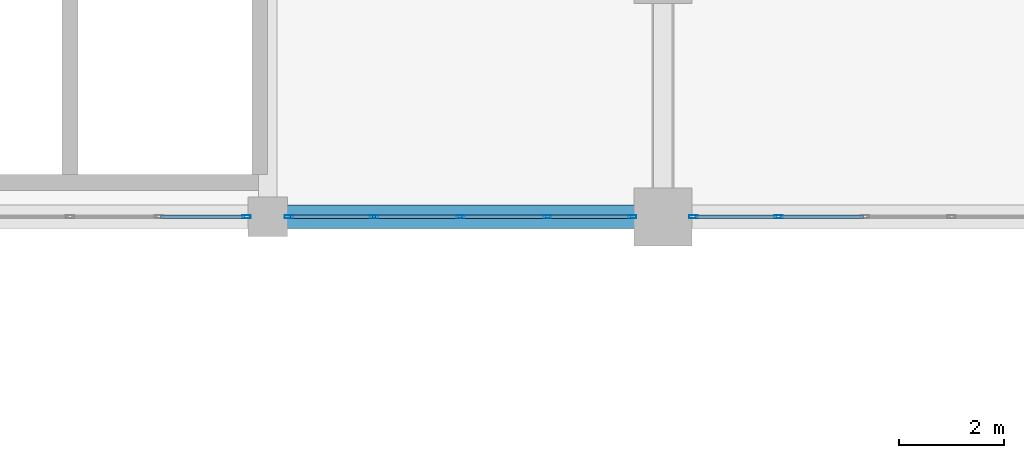
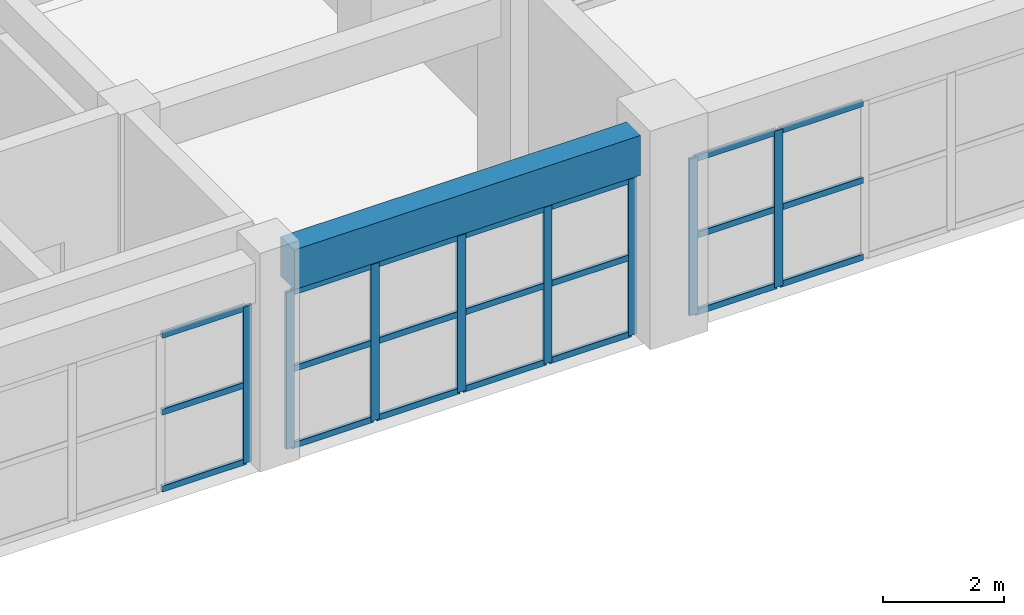
# One storey, part 19 of 90: 29 members, 1 beam, 3 elements without a shape of their own.
"""IFC4 building model written with IfcOpenShell, lengths in metres."""

from ifc_helpers import new_model, si_unit, direction, frame, origin, origin_2d, place, context, subcontext, project, spatial, rectangle, hollow_rectangle, extrude, material, layer, layer_set, material_profile, profile_set, type_object, element, aggregate, save


model = new_model("IFC4")

# Units and contexts
model_context = context("Model", 3, precision=1e-05, world=origin(), true_north=direction((0.0, 1.0)))
body_context = subcontext(model_context, "Body", "Model", "MODEL_VIEW")
ifc_project = project(units=[si_unit("LENGTHUNIT", "METRE"), si_unit("AREAUNIT", "SQUARE_METRE"), si_unit("VOLUMEUNIT", "CUBIC_METRE"), si_unit("PLANEANGLEUNIT", "RADIAN"), si_unit("MASSUNIT", "GRAM", prefix="KILO")], contexts=[model_context])

# Site, building, storey
site_placement = place(None, origin())
site = spatial("IfcSite", under=ifc_project, at=site_placement, CompositionType="ELEMENT")
building_placement = place(site_placement, origin())
building = spatial("IfcBuilding", under=site, at=building_placement, Name="Muzn Square Opera House", CompositionType="ELEMENT")
storey_placement = place(building_placement, frame((0.0, 0.0, 9.800048828125)))
storey = spatial("IfcBuildingStorey", under=building, at=storey_placement, Name="L02", CompositionType="ELEMENT", Elevation=9.800048828125)

# Curtain wall, member
ifc_material_1 = material(Name="Low-E laminated acoustic double glazing", Category="glass")
ifc_layer_1 = layer(ifc_material_1, 0.159912109375, Name="Low-E laminated acoustic double glazing", Category="glass")
ifc_layer_set_1 = layer_set([ifc_layer_1], Name="Low-E laminated acoustic double glazing")
curtain_wall_type_1 = type_object("IfcCurtainWallType", Name="Glazed Curtain Wall Forecourt 6750x3150", PredefinedType="USERDEFINED", material=ifc_layer_set_1)
curtain_wall_1_placement = place(storey_placement, origin())
curtain_wall_1 = element("IfcCurtainWall", 1, at=curtain_wall_1_placement, inside=storey, type_object=curtain_wall_type_1, Name="Glazed Curtain Wall CW-L02-011", ObjectType="GLAZED CURTAIN WALL", PredefinedType="USERDEFINED")
ifc_material_2 = material(Name="Anodised bronze aluminium 6063-T6", Category="metal")
ifc_material_profile_1 = material_profile(ifc_material_2, hollow_rectangle(XDim=0.06005859375, YDim=0.159912109375, WallThickness=0.00390625, at=origin_2d()), Name="ALU 160x60x4", Category="metal")
ifc_profile_set_1 = profile_set([ifc_material_profile_1], Name="Anodised bronze aluminium 6063-T6")
member_type_1 = type_object("IfcMemberType", Name="Curtain Wall Mullion 160x60", PredefinedType="MULLION", material=ifc_profile_set_1)
member_1_placement = place(storey_placement, frame((65.094970703125, 22.0, 0.0), z_axis=(0.0, 0.0, 1.0), x_axis=(0.0, 1.0, 0.0)))
member_1 = element("IfcMember", 2, at=member_1_placement, type_object=member_type_1, Name="CW-FC-67x31 mullion 5", PredefinedType="MULLION", context=body_context, shape_type="SweptSolid", body=[
    extrude(hollow_rectangle(XDim=0.06005859375, YDim=0.159912109375, WallThickness=0.00390625, at=origin_2d()), origin(), (0.0, 0.0, 1.0), 3.14990234375),
])

# Curtain wall, members
ifc_layer_2 = layer(ifc_material_1, 0.159912109375, Name="Low-E laminated acoustic double glazing", Category="glass")
ifc_layer_set_2 = layer_set([ifc_layer_2], Name="Low-E laminated acoustic double glazing")
curtain_wall_type_2 = type_object("IfcCurtainWallType", Name="Glazed Curtain Wall Forecourt 6575x3150", PredefinedType="USERDEFINED", material=ifc_layer_set_2)
curtain_wall_2_placement = place(storey_placement, origin())
curtain_wall_2 = element("IfcCurtainWall", 3, at=curtain_wall_2_placement, inside=storey, type_object=curtain_wall_type_2, Name="Glazed Curtain Wall CW-L02-012", ObjectType="GLAZED CURTAIN WALL", PredefinedType="USERDEFINED")
member_2_placement = place(storey_placement, frame((65.905029296875, 22.0, 0.0), z_axis=(0.0, 0.0, 1.0), x_axis=(0.0, 1.0, 0.0)))
member_2 = element("IfcMember", 4, at=member_2_placement, type_object=member_type_1, Name="CW-FC-65x31 mullion 1", PredefinedType="MULLION", context=body_context, shape_type="SweptSolid", body=[
    extrude(hollow_rectangle(XDim=0.06005859375, YDim=0.159912109375, WallThickness=0.00390625, at=origin_2d()), origin(), (0.0, 0.0, 1.0), 3.14990234375),
])
member_3_placement = place(storey_placement, frame((67.518798828125, 22.0, 0.0), z_axis=(0.0, 0.0, 1.0), x_axis=(0.0, 1.0, 0.0)))
member_3 = element("IfcMember", 5, at=member_3_placement, type_object=member_type_1, Name="CW-FC-65x31 mullion 2", PredefinedType="MULLION", context=body_context, shape_type="SweptSolid", body=[
    extrude(hollow_rectangle(XDim=0.06005859375, YDim=0.159912109375, WallThickness=0.00390625, at=origin_2d()), origin(), (0.0, 0.0, 1.0), 3.14990234375),
])
member_4_placement = place(storey_placement, frame((69.16259765625, 22.0, 0.0), z_axis=(0.0, 0.0, 1.0), x_axis=(0.0, 1.0, 0.0)))
member_4 = element("IfcMember", 6, at=member_4_placement, type_object=member_type_1, Name="CW-FC-65x31 mullion 3", PredefinedType="MULLION", context=body_context, shape_type="SweptSolid", body=[
    extrude(hollow_rectangle(XDim=0.06005859375, YDim=0.159912109375, WallThickness=0.00390625, at=origin_2d()), origin(), (0.0, 0.0, 1.0), 3.14990234375),
])
member_5_placement = place(storey_placement, frame((70.80615234375, 22.0, 0.0), z_axis=(0.0, 0.0, 1.0), x_axis=(0.0, 1.0, 0.0)))
member_5 = element("IfcMember", 7, at=member_5_placement, type_object=member_type_1, Name="CW-FC-65x31 mullion 4", PredefinedType="MULLION", context=body_context, shape_type="SweptSolid", body=[
    extrude(hollow_rectangle(XDim=0.06005859375, YDim=0.159912109375, WallThickness=0.00390625, at=origin_2d()), origin(), (0.0, 0.0, 1.0), 3.14990234375),
])
member_6_placement = place(storey_placement, frame((72.419921875, 22.0, 0.0), z_axis=(0.0, 0.0, 1.0), x_axis=(0.0, 1.0, 0.0)))
member_6 = element("IfcMember", 8, at=member_6_placement, type_object=member_type_1, Name="CW-FC-65x31 mullion 5", PredefinedType="MULLION", context=body_context, shape_type="SweptSolid", body=[
    extrude(hollow_rectangle(XDim=0.06005859375, YDim=0.159912109375, WallThickness=0.00390625, at=origin_2d()), origin(), (0.0, 0.0, 1.0), 3.14990234375),
])

curtain_wall_3_placement = place(storey_placement, origin())
curtain_wall_3 = element("IfcCurtainWall", 9, at=curtain_wall_3_placement, inside=storey, type_object=curtain_wall_type_2, Name="Glazed Curtain Wall CW-L02-013", ObjectType="GLAZED CURTAIN WALL", PredefinedType="USERDEFINED")
member_7_placement = place(storey_placement, frame((73.580078125, 22.0, 0.0), z_axis=(0.0, 0.0, 1.0), x_axis=(0.0, 1.0, 0.0)))
member_7 = element("IfcMember", 10, at=member_7_placement, type_object=member_type_1, Name="CW-FC-65x31 mullion 1", PredefinedType="MULLION", context=body_context, shape_type="SweptSolid", body=[
    extrude(hollow_rectangle(XDim=0.06005859375, YDim=0.159912109375, WallThickness=0.00390625, at=origin_2d()), origin(), (0.0, 0.0, 1.0), 3.14990234375),
])
member_8_placement = place(storey_placement, frame((75.19384765625, 22.0, 0.0), z_axis=(0.0, 0.0, 1.0), x_axis=(0.0, 1.0, 0.0)))
member_8 = element("IfcMember", 11, at=member_8_placement, type_object=member_type_1, Name="CW-FC-65x31 mullion 2", PredefinedType="MULLION", context=body_context, shape_type="SweptSolid", body=[
    extrude(hollow_rectangle(XDim=0.06005859375, YDim=0.159912109375, WallThickness=0.00390625, at=origin_2d()), origin(), (0.0, 0.0, 1.0), 3.14990234375),
])

# Member
ifc_material_profile_2 = material_profile(ifc_material_2, hollow_rectangle(XDim=0.06005859375, YDim=0.1201171875, WallThickness=0.00390625, at=origin_2d()), Name="ALU 120x60x4", Category="metal")
ifc_profile_set_2 = profile_set([ifc_material_profile_2], Name="Anodised bronze aluminium 6063-T6")
member_type_2 = type_object("IfcMemberType", Name="Curtain Wall Transom 120x60", PredefinedType="USERDEFINED", material=ifc_profile_set_2)
member_9_placement = place(storey_placement, frame((63.467529296875, 22.0, 0.030029296875), z_axis=(1.0, 0.0, 0.0), x_axis=(0.0, 1.0, 0.0)))
member_9 = element("IfcMember", 12, at=member_9_placement, type_object=member_type_2, Name="CW-FC-67x31 transom 4.1", ObjectType="TRANSOM", PredefinedType="USERDEFINED", context=body_context, shape_type="SweptSolid", body=[
    extrude(hollow_rectangle(XDim=0.06005859375, YDim=0.1201171875, WallThickness=0.00390625, at=origin_2d()), origin(), (0.0, 0.0, 1.0), 1.597412109375),
])

member_10_placement = place(storey_placement, frame((63.467529296875, 22.0, 1.574951171875), z_axis=(1.0, 0.0, 0.0), x_axis=(0.0, 1.0, 0.0)))
member_10 = element("IfcMember", 13, at=member_10_placement, type_object=member_type_2, Name="CW-FC-67x31 transom 4.2", ObjectType="TRANSOM", PredefinedType="USERDEFINED", context=body_context, shape_type="SweptSolid", body=[
    extrude(hollow_rectangle(XDim=0.06005859375, YDim=0.1201171875, WallThickness=0.00390625, at=origin_2d()), origin(), (0.0, 0.0, 1.0), 1.597412109375),
])

member_11_placement = place(storey_placement, frame((63.467529296875, 22.0, 3.119873046875), z_axis=(1.0, 0.0, 0.0), x_axis=(0.0, 1.0, 0.0)))
member_11 = element("IfcMember", 14, at=member_11_placement, type_object=member_type_2, Name="CW-FC-67x31 transom 4.3", ObjectType="TRANSOM", PredefinedType="USERDEFINED", context=body_context, shape_type="SweptSolid", body=[
    extrude(hollow_rectangle(XDim=0.06005859375, YDim=0.1201171875, WallThickness=0.00390625, at=origin_2d()), origin(), (0.0, 0.0, 1.0), 1.597412109375),
])

aggregate(curtain_wall_1, [member_1, member_9, member_10, member_11])

member_12_placement = place(storey_placement, frame((65.93505859375, 22.0, 0.030029296875), z_axis=(1.0, 0.0, 0.0), x_axis=(0.0, 1.0, 0.0)))
member_12 = element("IfcMember", 15, at=member_12_placement, type_object=member_type_2, Name="CW-FC-65x31 transom 1.1", ObjectType="TRANSOM", PredefinedType="USERDEFINED", context=body_context, shape_type="SweptSolid", body=[
    extrude(hollow_rectangle(XDim=0.06005859375, YDim=0.1201171875, WallThickness=0.00390625, at=origin_2d()), origin(), (0.0, 0.0, 1.0), 1.5537109375),
])

member_13_placement = place(storey_placement, frame((65.93505859375, 22.0, 1.574951171875), z_axis=(1.0, 0.0, 0.0), x_axis=(0.0, 1.0, 0.0)))
member_13 = element("IfcMember", 16, at=member_13_placement, type_object=member_type_2, Name="CW-FC-65x31 transom 1.2", ObjectType="TRANSOM", PredefinedType="USERDEFINED", context=body_context, shape_type="SweptSolid", body=[
    extrude(hollow_rectangle(XDim=0.06005859375, YDim=0.1201171875, WallThickness=0.00390625, at=origin_2d()), origin(), (0.0, 0.0, 1.0), 1.5537109375),
])

member_14_placement = place(storey_placement, frame((65.93505859375, 22.0, 3.119873046875), z_axis=(1.0, 0.0, 0.0), x_axis=(0.0, 1.0, 0.0)))
member_14 = element("IfcMember", 17, at=member_14_placement, type_object=member_type_2, Name="CW-FC-65x31 transom 1.3", ObjectType="TRANSOM", PredefinedType="USERDEFINED", context=body_context, shape_type="SweptSolid", body=[
    extrude(hollow_rectangle(XDim=0.06005859375, YDim=0.1201171875, WallThickness=0.00390625, at=origin_2d()), origin(), (0.0, 0.0, 1.0), 1.5537109375),
])

member_15_placement = place(storey_placement, frame((67.548828125, 22.0, 0.030029296875), z_axis=(1.0, 0.0, 0.0), x_axis=(0.0, 1.0, 0.0)))
member_15 = element("IfcMember", 18, at=member_15_placement, type_object=member_type_2, Name="CW-FC-65x31 transom 2.1", ObjectType="TRANSOM", PredefinedType="USERDEFINED", context=body_context, shape_type="SweptSolid", body=[
    extrude(hollow_rectangle(XDim=0.06005859375, YDim=0.1201171875, WallThickness=0.00390625, at=origin_2d()), origin(), (0.0, 0.0, 1.0), 1.583740234375),
])

member_16_placement = place(storey_placement, frame((67.548828125, 22.0, 1.574951171875), z_axis=(1.0, 0.0, 0.0), x_axis=(0.0, 1.0, 0.0)))
member_16 = element("IfcMember", 19, at=member_16_placement, type_object=member_type_2, Name="CW-FC-65x31 transom 2.2", ObjectType="TRANSOM", PredefinedType="USERDEFINED", context=body_context, shape_type="SweptSolid", body=[
    extrude(hollow_rectangle(XDim=0.06005859375, YDim=0.1201171875, WallThickness=0.00390625, at=origin_2d()), origin(), (0.0, 0.0, 1.0), 1.583740234375),
])

member_17_placement = place(storey_placement, frame((67.548828125, 22.0, 3.119873046875), z_axis=(1.0, 0.0, 0.0), x_axis=(0.0, 1.0, 0.0)))
member_17 = element("IfcMember", 20, at=member_17_placement, type_object=member_type_2, Name="CW-FC-65x31 transom 2.3", ObjectType="TRANSOM", PredefinedType="USERDEFINED", context=body_context, shape_type="SweptSolid", body=[
    extrude(hollow_rectangle(XDim=0.06005859375, YDim=0.1201171875, WallThickness=0.00390625, at=origin_2d()), origin(), (0.0, 0.0, 1.0), 1.583740234375),
])

member_18_placement = place(storey_placement, frame((69.1923828125, 22.0, 0.030029296875), z_axis=(1.0, 0.0, 0.0), x_axis=(0.0, 1.0, 0.0)))
member_18 = element("IfcMember", 21, at=member_18_placement, type_object=member_type_2, Name="CW-FC-65x31 transom 3.1", ObjectType="TRANSOM", PredefinedType="USERDEFINED", context=body_context, shape_type="SweptSolid", body=[
    extrude(hollow_rectangle(XDim=0.06005859375, YDim=0.1201171875, WallThickness=0.00390625, at=origin_2d()), origin(), (0.0, 0.0, 1.0), 1.583984375),
])

member_19_placement = place(storey_placement, frame((69.1923828125, 22.0, 1.574951171875), z_axis=(1.0, 0.0, 0.0), x_axis=(0.0, 1.0, 0.0)))
member_19 = element("IfcMember", 22, at=member_19_placement, type_object=member_type_2, Name="CW-FC-65x31 transom 3.2", ObjectType="TRANSOM", PredefinedType="USERDEFINED", context=body_context, shape_type="SweptSolid", body=[
    extrude(hollow_rectangle(XDim=0.06005859375, YDim=0.1201171875, WallThickness=0.00390625, at=origin_2d()), origin(), (0.0, 0.0, 1.0), 1.583984375),
])

member_20_placement = place(storey_placement, frame((69.1923828125, 22.0, 3.119873046875), z_axis=(1.0, 0.0, 0.0), x_axis=(0.0, 1.0, 0.0)))
member_20 = element("IfcMember", 23, at=member_20_placement, type_object=member_type_2, Name="CW-FC-65x31 transom 3.3", ObjectType="TRANSOM", PredefinedType="USERDEFINED", context=body_context, shape_type="SweptSolid", body=[
    extrude(hollow_rectangle(XDim=0.06005859375, YDim=0.1201171875, WallThickness=0.00390625, at=origin_2d()), origin(), (0.0, 0.0, 1.0), 1.583984375),
])

member_21_placement = place(storey_placement, frame((70.836181640625, 22.0, 0.030029296875), z_axis=(1.0, 0.0, 0.0), x_axis=(0.0, 1.0, 0.0)))
member_21 = element("IfcMember", 24, at=member_21_placement, type_object=member_type_2, Name="CW-FC-65x31 transom 4.1", ObjectType="TRANSOM", PredefinedType="USERDEFINED", context=body_context, shape_type="SweptSolid", body=[
    extrude(hollow_rectangle(XDim=0.06005859375, YDim=0.1201171875, WallThickness=0.00390625, at=origin_2d()), origin(), (0.0, 0.0, 1.0), 1.5537109375),
])

member_22_placement = place(storey_placement, frame((70.836181640625, 22.0, 1.574951171875), z_axis=(1.0, 0.0, 0.0), x_axis=(0.0, 1.0, 0.0)))
member_22 = element("IfcMember", 25, at=member_22_placement, type_object=member_type_2, Name="CW-FC-65x31 transom 4.2", ObjectType="TRANSOM", PredefinedType="USERDEFINED", context=body_context, shape_type="SweptSolid", body=[
    extrude(hollow_rectangle(XDim=0.06005859375, YDim=0.1201171875, WallThickness=0.00390625, at=origin_2d()), origin(), (0.0, 0.0, 1.0), 1.5537109375),
])

member_23_placement = place(storey_placement, frame((70.836181640625, 22.0, 3.119873046875), z_axis=(1.0, 0.0, 0.0), x_axis=(0.0, 1.0, 0.0)))
member_23 = element("IfcMember", 26, at=member_23_placement, type_object=member_type_2, Name="CW-FC-65x31 transom 4.3", ObjectType="TRANSOM", PredefinedType="USERDEFINED", context=body_context, shape_type="SweptSolid", body=[
    extrude(hollow_rectangle(XDim=0.06005859375, YDim=0.1201171875, WallThickness=0.00390625, at=origin_2d()), origin(), (0.0, 0.0, 1.0), 1.5537109375),
])

aggregate(curtain_wall_2, [member_2, member_3, member_4, member_5, member_6, member_12, member_13, member_14, member_15, member_16, member_17, member_18, member_19, member_20, member_21, member_22, member_23])

member_24_placement = place(storey_placement, frame((73.610107421875, 22.0, 0.030029296875), z_axis=(1.0, 0.0, 0.0), x_axis=(0.0, 1.0, 0.0)))
member_24 = element("IfcMember", 27, at=member_24_placement, type_object=member_type_2, Name="CW-FC-65x31 transom 1.1", ObjectType="TRANSOM", PredefinedType="USERDEFINED", context=body_context, shape_type="SweptSolid", body=[
    extrude(hollow_rectangle(XDim=0.06005859375, YDim=0.1201171875, WallThickness=0.00390625, at=origin_2d()), origin(), (0.0, 0.0, 1.0), 1.5537109375),
])

member_25_placement = place(storey_placement, frame((73.610107421875, 22.0, 1.574951171875), z_axis=(1.0, 0.0, 0.0), x_axis=(0.0, 1.0, 0.0)))
member_25 = element("IfcMember", 28, at=member_25_placement, type_object=member_type_2, Name="CW-FC-65x31 transom 1.2", ObjectType="TRANSOM", PredefinedType="USERDEFINED", context=body_context, shape_type="SweptSolid", body=[
    extrude(hollow_rectangle(XDim=0.06005859375, YDim=0.1201171875, WallThickness=0.00390625, at=origin_2d()), origin(), (0.0, 0.0, 1.0), 1.5537109375),
])

member_26_placement = place(storey_placement, frame((73.610107421875, 22.0, 3.119873046875), z_axis=(1.0, 0.0, 0.0), x_axis=(0.0, 1.0, 0.0)))
member_26 = element("IfcMember", 29, at=member_26_placement, type_object=member_type_2, Name="CW-FC-65x31 transom 1.3", ObjectType="TRANSOM", PredefinedType="USERDEFINED", context=body_context, shape_type="SweptSolid", body=[
    extrude(hollow_rectangle(XDim=0.06005859375, YDim=0.1201171875, WallThickness=0.00390625, at=origin_2d()), origin(), (0.0, 0.0, 1.0), 1.5537109375),
])

member_27_placement = place(storey_placement, frame((75.2236328125, 22.0, 0.030029296875), z_axis=(1.0, 0.0, 0.0), x_axis=(0.0, 1.0, 0.0)))
member_27 = element("IfcMember", 30, at=member_27_placement, type_object=member_type_2, Name="CW-FC-65x31 transom 2.1", ObjectType="TRANSOM", PredefinedType="USERDEFINED", context=body_context, shape_type="SweptSolid", body=[
    extrude(hollow_rectangle(XDim=0.06005859375, YDim=0.1201171875, WallThickness=0.00390625, at=origin_2d()), origin(), (0.0, 0.0, 1.0), 1.583984375),
])

member_28_placement = place(storey_placement, frame((75.2236328125, 22.0, 1.574951171875), z_axis=(1.0, 0.0, 0.0), x_axis=(0.0, 1.0, 0.0)))
member_28 = element("IfcMember", 31, at=member_28_placement, type_object=member_type_2, Name="CW-FC-65x31 transom 2.2", ObjectType="TRANSOM", PredefinedType="USERDEFINED", context=body_context, shape_type="SweptSolid", body=[
    extrude(hollow_rectangle(XDim=0.06005859375, YDim=0.1201171875, WallThickness=0.00390625, at=origin_2d()), origin(), (0.0, 0.0, 1.0), 1.583984375),
])

member_29_placement = place(storey_placement, frame((75.2236328125, 22.0, 3.119873046875), z_axis=(1.0, 0.0, 0.0), x_axis=(0.0, 1.0, 0.0)))
member_29 = element("IfcMember", 32, at=member_29_placement, type_object=member_type_2, Name="CW-FC-65x31 transom 2.3", ObjectType="TRANSOM", PredefinedType="USERDEFINED", context=body_context, shape_type="SweptSolid", body=[
    extrude(hollow_rectangle(XDim=0.06005859375, YDim=0.1201171875, WallThickness=0.00390625, at=origin_2d()), origin(), (0.0, 0.0, 1.0), 1.583984375),
])

aggregate(curtain_wall_3, [member_7, member_8, member_24, member_25, member_26, member_27, member_28, member_29])

# Beam
ifc_material_3 = material(Name="Concrete C40/50", Category="concrete")
ifc_material_profile_3 = material_profile(ifc_material_3, rectangle(XDim=0.449951171875, YDim=0.800048828125, at=origin_2d()), Name="RCB 450x800", Category="concrete")
ifc_profile_set_3 = profile_set([ifc_material_profile_3], Name="Concrete C40/50")
beam_type = type_object("IfcBeamType", Name="Primary Girder 450x800", PredefinedType="BEAM", material=ifc_profile_set_3)
beam_placement = place(storey_placement, frame((65.866943359375, 22.0, 3.719970703125), z_axis=(1.0, 0.0, 0.0), x_axis=(0.0, 1.0, 0.0)))
element("IfcBeam", 33, at=beam_placement, inside=storey, type_object=beam_type, Name="Primary Girder BM-L02-BM-PG800-659_220_725_220-1952", PredefinedType="BEAM", context=body_context, shape_type="SweptSolid", body=[
    extrude(rectangle(XDim=0.449951171875, YDim=0.800048828125, at=origin_2d()), origin(), (0.0, 0.0, 1.0), 6.591064453125),
])

save(model, "model.ifc")
